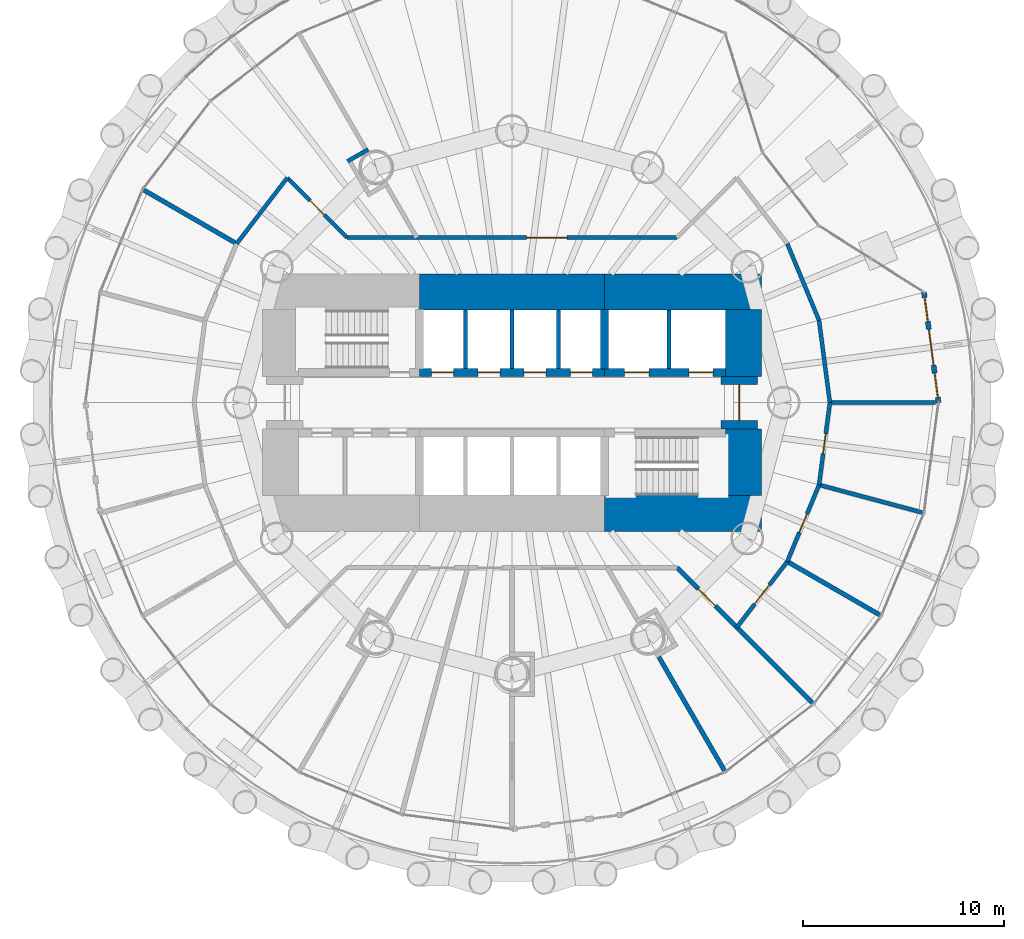
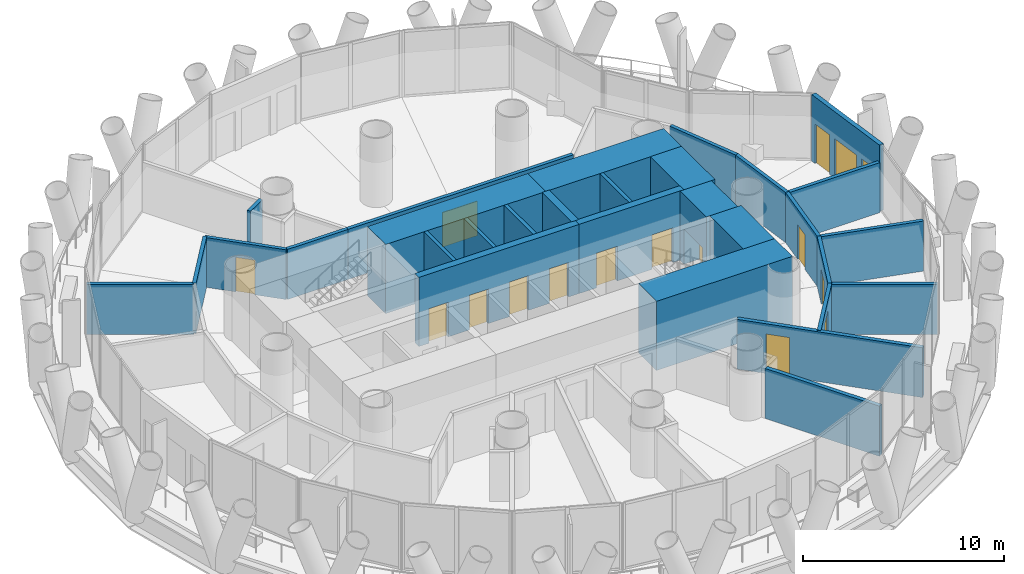
# One storey, part 10 of 15: 30 walls, 14 doors, 2 windows, 16 openings.
"""IFC4 building model written with IfcOpenShell, lengths in metres."""

import ifcopenshell
import ifcopenshell.guid

model = None  # the IFC model being written
_history = None  # IfcOwnerHistory: only IFC2X3 demands one
_inside = {}  # id of a spatial element -> (the spatial element, [elements in it])
_under = {}  # id of a project, library or spatial element -> (it, [spatial elements below it])
_declared = {}  # id of a project -> (the project, [libraries it declares])
_typed = {}  # id of a type object -> (the type object, [elements of that type])
_made_of = {}  # id of a material, layer set ... -> (it, [elements and type objects made of it])


def new_model(schema):
    """Start an empty IFC model of exactly this schema.

    Asked for "IFC4X3", IfcOpenShell would pick the latest addendum, in which some entities
    have other attributes; the version numbers below select the first issue.
    IFC2X3 requires an IfcOwnerHistory on every rooted entity: one is made here for all.
    """
    global model, _history
    if schema == "IFC4X3":
        model = ifcopenshell.file(schema_version=(4, 3, 0, 0))
    else:
        model = ifcopenshell.file(schema=schema)
    _inside.clear()
    _under.clear()
    _declared.clear()
    _typed.clear()
    _made_of.clear()
    _history = None
    if model.schema == "IFC2X3":
        org = make("IfcOrganization", Name="unknown")
        user = make(
            "IfcPersonAndOrganization",
            ThePerson=make("IfcPerson", FamilyName="unknown"),
            TheOrganization=org,
        )
        app = make(
            "IfcApplication",
            ApplicationDeveloper=org,
            Version="unknown",
            ApplicationFullName="unknown",
            ApplicationIdentifier="unknown",
        )
        _history = make(
            "IfcOwnerHistory",
            OwningUser=user,
            OwningApplication=app,
            ChangeAction="ADDED",
            CreationDate=0,
        )
    return model


def make(cls, **values):
    """One entity of the class cls with the attributes given. An attribute that is None is left unset."""
    return model.create_entity(
        cls, **{name: value for name, value in values.items() if value is not None}
    )


def rooted(cls, **values):
    """An entity with a GlobalId (a new one), such as an element, a storey or a relation."""
    return make(cls, GlobalId=ifcopenshell.guid.new(), OwnerHistory=_history, **values)


def si_unit(unit_type, name, prefix=None):
    """IfcSIUnit, for example si_unit("LENGTHUNIT", "METRE", prefix="MILLI")."""
    return make("IfcSIUnit", UnitType=unit_type, Prefix=prefix, Name=name)


def assignment(units):
    """IfcUnitAssignment: the units of a project."""
    return None if units is None else make("IfcUnitAssignment", Units=units)


def point(xyz):
    """IfcCartesianPoint."""
    return None if xyz is None else make("IfcCartesianPoint", Coordinates=xyz)


def direction(xyz):
    """IfcDirection."""
    return None if xyz is None else make("IfcDirection", DirectionRatios=xyz)


def frame(location, z_axis=None, x_axis=None):
    """IfcAxis2Placement3D, a coordinate frame: its origin and axes. An axis left out is left unset."""
    return make(
        "IfcAxis2Placement3D",
        Location=point(location),
        Axis=direction(z_axis),
        RefDirection=direction(x_axis),
    )


def frame_2d(location, x_axis=None):
    """IfcAxis2Placement2D, a coordinate frame in the plane: its origin and x axis."""
    return make(
        "IfcAxis2Placement2D", Location=point(location), RefDirection=direction(x_axis)
    )


def origin():
    """The frame at (0, 0, 0) with its axes left unset."""
    return frame((0.0, 0.0, 0.0))


def place(relative_to, where):
    """IfcLocalPlacement: puts the frame where relative to a parent placement (None: the world)."""
    return make(
        "IfcLocalPlacement", PlacementRelTo=relative_to, RelativePlacement=where
    )


def context(
    kind, dimensions, precision=None, world=None, true_north=None, identifier=None
):
    """IfcGeometricRepresentationContext, for example the 3D "Model" context."""
    return make(
        "IfcGeometricRepresentationContext",
        ContextIdentifier=identifier,
        ContextType=kind,
        CoordinateSpaceDimension=dimensions,
        Precision=precision,
        WorldCoordinateSystem=world,
        TrueNorth=true_north,
    )


def subcontext(parent, identifier, kind, view, scale=None):
    """IfcGeometricRepresentationSubContext, for example "Body" below "Model"."""
    return make(
        "IfcGeometricRepresentationSubContext",
        ContextIdentifier=identifier,
        ContextType=kind,
        ParentContext=parent,
        TargetScale=scale,
        TargetView=view,
    )


def project(units=None, contexts=None):
    """IfcProject with its units and contexts."""
    return rooted(
        "IfcProject",
        Name="project",
        RepresentationContexts=contexts,
        UnitsInContext=assignment(units),
    )


def spatial(cls, under=None, at=None, **own):
    """A site, building, storey or space (cls), placed at a placement, below another one or the project."""
    s = rooted(cls, ObjectPlacement=at, **own)
    if under is not None:
        _under.setdefault(under.id(), (under, []))[1].append(s)
    return s


def profile(cls, at=None, kind="AREA", **sizes):
    """A parametric profile (cls). Its sizes go by their IFC names, for example OverallWidth=200.0."""
    return make(cls, ProfileType=kind, Position=at, **sizes)


def rectangle(**sizes):
    """IfcRectangleProfileDef."""
    return profile("IfcRectangleProfileDef", **sizes)


def extrude(swept, where, along, depth):
    """IfcExtrudedAreaSolid: the profile swept, set in the frame where, extruded along a direction by depth."""
    return make(
        "IfcExtrudedAreaSolid",
        SweptArea=swept,
        Position=where,
        ExtrudedDirection=direction(along),
        Depth=depth,
    )


def shape(context_of_items, identifier, shape_type, items):
    """IfcShapeRepresentation: the items that make up one representation, for example the "Body"."""
    return make(
        "IfcShapeRepresentation",
        ContextOfItems=context_of_items,
        RepresentationIdentifier=identifier,
        RepresentationType=shape_type,
        Items=items,
    )


def material(Name=None, Category=None):
    """IfcMaterial."""
    return make("IfcMaterial", Name=Name, Category=Category)


def layer(
    of_material, thickness, ventilated=None, Name=None, Category=None, Priority=None
):
    """IfcMaterialLayer: one layer of a wall or slab, of a material (None: an air gap)."""
    return make(
        "IfcMaterialLayer",
        Material=of_material,
        LayerThickness=thickness,
        IsVentilated=ventilated,
        Name=Name,
        Category=Category,
        Priority=Priority,
    )


def layer_set(layers, Name=None):
    """IfcMaterialLayerSet."""
    return make("IfcMaterialLayerSet", MaterialLayers=layers, LayerSetName=Name)


def made_of(thing, what):
    """Note that an element or type object is made of a material, layer set ...; save() writes the relation."""
    if what is not None:
        _made_of.setdefault(what.id(), (what, []))[1].append(thing)
    return thing


def type_object(cls, material=None, **own):
    """A type object (cls), such as IfcWallType, which elements share."""
    return made_of(rooted(cls, **own), material)


def element(
    cls,
    number,
    at=None,
    inside=None,
    cuts=None,
    type_object=None,
    material=None,
    context=None,
    identifier="Body",
    shape_type=None,
    held_by="IfcProductDefinitionShape",
    body=None,
    shapes=None,
    **own,
):
    """One element of the class cls, such as IfcWall. Its Tag is "e" and its number.

    at: its placement. inside: the storey or other place that contains it. cuts: it is an
    opening in that element (IfcRelVoidsElement). A single representation is given by context,
    identifier, shape_type and body (its items); several are given by shapes. held_by: the class
    of the entity that holds the representations. save() writes the other relations.
    """
    e = rooted(cls, Tag="e%d" % number, ObjectPlacement=at, **own)
    if body is not None:
        shapes = [shape(context, identifier, shape_type, body)]
    if shapes is not None:
        e.Representation = make(held_by, Representations=shapes)
    if inside is not None:
        _inside.setdefault(inside.id(), (inside, []))[1].append(e)
    if cuts is not None:
        rooted(
            "IfcRelVoidsElement", RelatingBuildingElement=cuts, RelatedOpeningElement=e
        )
    if type_object is not None:
        _typed.setdefault(type_object.id(), (type_object, []))[1].append(e)
    return made_of(e, material)


def fill(opening, filler):
    """IfcRelFillsElement: the door or window that sits in an opening."""
    return rooted(
        "IfcRelFillsElement",
        RelatingOpeningElement=opening,
        RelatedBuildingElement=filler,
    )


def aggregate(whole, parts):
    """IfcRelAggregates: a whole, such as a stair, and the parts it consists of."""
    return rooted("IfcRelAggregates", RelatingObject=whole, RelatedObjects=parts)


def save(model, path):
    """Write the relations noted so far, then the file.

    IfcRelAggregates (storeys below a building ...), IfcRelContainedInSpatialStructure (elements
    in a storey), IfcRelDefinesByType, IfcRelAssociatesMaterial and IfcRelDeclares: one each for
    every whole, place, type object, material and project.
    """
    for whole, parts in _under.values():
        aggregate(whole, parts)
    for where, things in _inside.values():
        rooted(
            "IfcRelContainedInSpatialStructure",
            RelatedElements=things,
            RelatingStructure=where,
        )
    for kind, things in _typed.values():
        rooted("IfcRelDefinesByType", RelatedObjects=things, RelatingType=kind)
    for what, things in _made_of.values():
        rooted("IfcRelAssociatesMaterial", RelatedObjects=things, RelatingMaterial=what)
    for by, libraries in _declared.values():
        rooted("IfcRelDeclares", RelatingContext=by, RelatedDefinitions=libraries)
    model.write(path)


model = new_model("IFC4")

# Units and contexts
model_context = context("Model", 3, precision=1e-05, world=origin(), true_north=direction((0.0, 1.0)))
body_context = subcontext(model_context, "Body", "Model", "MODEL_VIEW")
ifc_project = project(units=[si_unit("LENGTHUNIT", "METRE"), si_unit("AREAUNIT", "SQUARE_METRE"), si_unit("VOLUMEUNIT", "CUBIC_METRE"), si_unit("PLANEANGLEUNIT", "RADIAN"), si_unit("MASSUNIT", "GRAM", prefix="KILO")], contexts=[model_context])

# Site, building, storey
site_placement = place(None, origin())
site = spatial("IfcSite", under=ifc_project, at=site_placement, CompositionType="ELEMENT")
building_placement = place(site_placement, origin())
building = spatial("IfcBuilding", under=site, at=building_placement, Name="Qaws Media Tower", CompositionType="ELEMENT")
storey_placement = place(building_placement, frame((0.0, 0.0, 34.39990234375)))
storey = spatial("IfcBuildingStorey", under=building, at=storey_placement, Name="L06", CompositionType="ELEMENT", Elevation=34.39990234375)

# Walls
ifc_material_1 = material(Name="Twin metal stud frames, two layers gypsum board each side, insulated, Rw 55", Category="gypsum")
ifc_layer_1 = layer(ifc_material_1, 0.22509765625)
ifc_layer_set_1 = layer_set([ifc_layer_1], Name="Acoustic twin-stud partition 225 Rw 55")
wall_type_1 = type_object("IfcWallType", Name="Acoustic twin-stud partition 225 Rw 55", PredefinedType="PARTITIONING", material=ifc_layer_set_1)
wall_1_placement = place(storey_placement, frame((46.31689453125, 57.89990234375, 0.0), z_axis=(0.0, 0.0, 1.0), x_axis=(-0.866020236886, 0.500008949224, 0.0)))
element("IfcWall", 1, at=wall_1_placement, inside=storey, type_object=wall_type_1, Name="W026 IW6 partition L06", PredefinedType="PARTITIONING", context=body_context, shape_type="SweptSolid", body=[
    extrude(rectangle(XDim=5.3603515625, YDim=0.22509765625, at=frame_2d((2.68017578125, 0.0))), origin(), (0.0, 0.0, 1.0), 3.0400390625),
])
wall_2_placement = place(storey_placement, frame((67.299072265625, 37.35791015625, 0.0), z_axis=(0.0, 0.0, 1.0), x_axis=(0.499984386348, -0.866034418143, 0.0)))
element("IfcWall", 2, at=wall_2_placement, inside=storey, type_object=wall_type_1, Name="W030 IW6 partition L06", PredefinedType="PARTITIONING", context=body_context, shape_type="SweptSolid", body=[
    extrude(rectangle(XDim=6.562255859375, YDim=0.22509765625, at=frame_2d((3.28125, 0.0))), origin(), (0.0, 0.0, 1.0), 3.0400390625),
])

# Wall, opening, door
wall_3_placement = place(storey_placement, frame((68.199951171875, 41.800048828125, 0.0), z_axis=(0.0, 0.0, 1.0), x_axis=(0.707106781187, -0.707106781187, 0.0)))
wall_3 = element("IfcWall", 3, at=wall_3_placement, inside=storey, type_object=wall_type_1, Name="W031 IW6 partition L06", PredefinedType="PARTITIONING", context=body_context, shape_type="SweptSolid", body=[
    extrude(rectangle(XDim=9.5634765625, YDim=0.22509765625, at=frame_2d((4.78173828125, 0.0))), origin(), (0.0, 0.0, 1.0), 3.02001953125),
])
opening_1_placement = place(wall_3_placement, frame((1.501708984375, 0.0, 0.0)))
opening_1 = element("IfcOpeningElement", 4, at=opening_1_placement, cuts=wall_3, Name="Opening D14", PredefinedType="OPENING", context=body_context, shape_type="SweptSolid", body=[
    extrude(rectangle(XDim=1.199951171875, YDim=2.39990234375, at=frame_2d((0.60009765625, 1.199951171875))), frame((0.0, 0.12255859375, 0.0), z_axis=(0.0, -1.0, 0.0), x_axis=(1.0, 0.0, 0.0)), (0.0, 0.0, 1.0), 0.2451171875),
])
ifc_material_2 = material(Name="Steel acoustic door set, Rw 45", Category="steel")
door_type_1 = type_object("IfcDoorType", Name="Acoustic door 1200x2400 Rw 45", OperationType="SINGLE_SWING_LEFT", PredefinedType="DOOR", material=ifc_material_2)
door_1_placement = place(opening_1_placement, origin())
door_1 = element("IfcDoor", 5, at=door_1_placement, inside=storey, type_object=door_type_1, Name="D14 Podcast booth door L06 in wall W031", OperationType="SINGLE_SWING_LEFT", OverallHeight=2.39990234375, OverallWidth=1.199951171875, PredefinedType="DOOR", context=body_context, shape_type="SweptSolid", body=[
    extrude(rectangle(XDim=1.199951171875, YDim=2.39990234375, at=frame_2d((0.60009765625, 1.199951171875))), frame((0.0, 0.02490234375, 0.0), z_axis=(0.0, -1.0, 0.0), x_axis=(1.0, 0.0, 0.0)), (0.0, 0.0, 1.0), 0.050048828125),
])
fill(opening_1, door_1)

# Wall
wall_4_placement = place(storey_placement, frame((73.68310546875, 42.10009765625, 0.0), z_axis=(0.0, 0.0, 1.0), x_axis=(0.866020236886, -0.500008949224, 0.0)))
element("IfcWall", 6, at=wall_4_placement, inside=storey, type_object=wall_type_1, Name="W032 IW6 partition L06", PredefinedType="PARTITIONING", context=body_context, shape_type="SweptSolid", body=[
    extrude(rectangle(XDim=5.3603515625, YDim=0.22509765625, at=frame_2d((2.68017578125, 0.0))), origin(), (0.0, 0.0, 1.0), 3.0400390625),
])

# Wall, openings, door, windows
ifc_material_3 = material(Name="Precast concrete, exposed finish", Category="concrete")
ifc_layer_2 = layer(ifc_material_3, 0.25)
ifc_layer_set_2 = layer_set([ifc_layer_2], Name="Balcony door wall 250")
wall_type_2 = type_object("IfcWallType", Name="Balcony door wall 250", PredefinedType="SOLIDWALL", material=ifc_layer_set_2)
wall_5_placement = place(storey_placement, frame((81.199951171875, 50.0, 0.0), z_axis=(0.0, 0.0, 1.0), x_axis=(-0.130530967061, 0.991444232742, 0.0)))
wall_5 = element("IfcWall", 7, at=wall_5_placement, inside=storey, type_object=wall_type_2, Name="W116 EW1 balcony door wall L06-01", PredefinedType="SOLIDWALL", context=body_context, shape_type="SweptSolid", body=[
    extrude(rectangle(XDim=5.534423828125, YDim=0.25, at=frame_2d((2.76708984375, 0.0))), origin(), (0.0, 0.0, 1.0), 4.0400390625),
])
opening_2_placement = place(wall_5_placement, frame((1.8671875, 0.0, 0.0)))
opening_2 = element("IfcOpeningElement", 8, at=opening_2_placement, cuts=wall_5, Name="Opening D7", PredefinedType="OPENING", context=body_context, shape_type="SweptSolid", body=[
    extrude(rectangle(XDim=1.800048828125, YDim=2.39990234375, at=frame_2d((0.89990234375, 1.199951171875))), frame((0.0, 0.135009765625, 0.0), z_axis=(0.0, -1.0, 0.0), x_axis=(1.0, 0.0, 0.0)), (0.0, 0.0, 1.0), 0.27001953125),
])
opening_3_placement = place(wall_5_placement, frame((0.26708984375, 0.0, 0.0)))
opening_3 = element("IfcOpeningElement", 9, at=opening_3_placement, cuts=wall_5, Name="Opening W1", PredefinedType="OPENING", context=body_context, shape_type="SweptSolid", body=[
    extrude(rectangle(XDim=1.199951171875, YDim=2.39990234375, at=frame_2d((0.60009765625, 1.199951171875))), frame((0.0, 0.135009765625, 0.0), z_axis=(0.0, -1.0, 0.0), x_axis=(1.0, 0.0, 0.0)), (0.0, 0.0, 1.0), 0.27001953125),
])
opening_4_placement = place(wall_5_placement, frame((4.067138671875, 0.0, 0.0)))
opening_4 = element("IfcOpeningElement", 10, at=opening_4_placement, cuts=wall_5, Name="Opening W1", PredefinedType="OPENING", context=body_context, shape_type="SweptSolid", body=[
    extrude(rectangle(XDim=1.199951171875, YDim=2.39990234375, at=frame_2d((0.60009765625, 1.199951171875))), frame((0.0, 0.135009765625, 0.0), z_axis=(0.0, -1.0, 0.0), x_axis=(1.0, 0.0, 0.0)), (0.0, 0.0, 1.0), 0.27001953125),
])
ifc_material_4 = material(Name="Aluminium and clear glass", Category="aluminium")
door_type_2 = type_object("IfcDoorType", Name="Balcony door pair 1800", OperationType="DOUBLE_DOOR_SLIDING", PredefinedType="DOOR", material=ifc_material_4)
door_2_placement = place(opening_2_placement, origin())
door_2 = element("IfcDoor", 11, at=door_2_placement, inside=storey, type_object=door_type_2, Name="D7 balcony door L06-01 in wall W116", OperationType="DOUBLE_DOOR_SLIDING", OverallHeight=2.39990234375, OverallWidth=1.800048828125, PredefinedType="DOOR", context=body_context, shape_type="SweptSolid", body=[
    extrude(rectangle(XDim=1.800048828125, YDim=2.39990234375, at=frame_2d((0.89990234375, 1.199951171875))), frame((0.0, 0.02490234375, 0.0), z_axis=(0.0, -1.0, 0.0), x_axis=(1.0, 0.0, 0.0)), (0.0, 0.0, 1.0), 0.050048828125),
])
fill(opening_2, door_2)
ifc_material_5 = material(Name="Aluminium and clear glass", Category="aluminium")
window_type = type_object("IfcWindowType", Name="Balcony side window 1200", PartitioningType="SINGLE_PANEL", PredefinedType="WINDOW", material=ifc_material_5)
window_1_placement = place(opening_3_placement, origin())
window_1 = element("IfcWindow", 12, at=window_1_placement, inside=storey, type_object=window_type, Name="W1 balcony side light L06-01L", OverallHeight=2.39990234375, OverallWidth=1.199951171875, PartitioningType="SINGLE_PANEL", PredefinedType="WINDOW", context=body_context, shape_type="SweptSolid", body=[
    extrude(rectangle(XDim=1.199951171875, YDim=2.39990234375, at=frame_2d((0.60009765625, 1.199951171875))), frame((0.0, 0.030029296875, 0.0), z_axis=(0.0, -1.0, 0.0), x_axis=(1.0, 0.0, 0.0)), (0.0, 0.0, 1.0), 0.06005859375),
])
fill(opening_3, window_1)
window_2_placement = place(opening_4_placement, origin())
window_2 = element("IfcWindow", 13, at=window_2_placement, inside=storey, type_object=window_type, Name="W1 balcony side light L06-01R", OverallHeight=2.39990234375, OverallWidth=1.199951171875, PartitioningType="SINGLE_PANEL", PredefinedType="WINDOW", context=body_context, shape_type="SweptSolid", body=[
    extrude(rectangle(XDim=1.199951171875, YDim=2.39990234375, at=frame_2d((0.60009765625, 1.199951171875))), frame((0.0, 0.030029296875, 0.0), z_axis=(0.0, -1.0, 0.0), x_axis=(1.0, 0.0, 0.0)), (0.0, 0.0, 1.0), 0.06005859375),
])
fill(opening_4, window_2)

# Wall, openings, doors
ifc_material_6 = material(Name="Concrete C60/75", Category="concrete")
ifc_layer_3 = layer(ifc_material_6, 0.39990234375)
ifc_layer_set_3 = layer_set([ifc_layer_3], Name="Core inner wall 400")
wall_type_3 = type_object("IfcWallType", Name="Core inner wall 400", PredefinedType="SHEAR", material=ifc_layer_set_3)
wall_6_placement = place(storey_placement, frame((55.39990234375, 51.5, 0.0), z_axis=(0.0, 0.0, 1.0), x_axis=(1.0, 0.0, 0.0)))
wall_6 = element("IfcWall", 14, at=wall_6_placement, inside=storey, type_object=wall_type_3, Name="W314 SW4 core wall SPN L06", PredefinedType="SHEAR", context=body_context, shape_type="SweptSolid", body=[
    extrude(rectangle(XDim=9.2001953125, YDim=0.39990234375, at=frame_2d((4.60009765625, 0.0))), origin(), (0.0, 0.0, 1.0), 4.2001953125),
])
opening_5_placement = place(wall_6_placement, frame((0.60009765625, 0.0, 0.0)))
opening_5 = element("IfcOpeningElement", 15, at=opening_5_placement, cuts=wall_6, Name="Opening LD", PredefinedType="OPENING", context=body_context, shape_type="SweptSolid", body=[
    extrude(rectangle(XDim=1.10009765625, YDim=2.10009765625, at=frame_2d((0.550048828125, 1.050048828125))), frame((0.0, 0.2099609375, 0.0), z_axis=(0.0, -1.0, 0.0), x_axis=(1.0, 0.0, 0.0)), (0.0, 0.0, 1.0), 0.419921875),
])
opening_6_placement = place(wall_6_placement, frame((2.89990234375, 0.0, 0.0)))
opening_6 = element("IfcOpeningElement", 16, at=opening_6_placement, cuts=wall_6, Name="Opening LD", PredefinedType="OPENING", context=body_context, shape_type="SweptSolid", body=[
    extrude(rectangle(XDim=1.10009765625, YDim=2.10009765625, at=frame_2d((0.550048828125, 1.050048828125))), frame((0.0, 0.2099609375, 0.0), z_axis=(0.0, -1.0, 0.0), x_axis=(1.0, 0.0, 0.0)), (0.0, 0.0, 1.0), 0.419921875),
])
opening_7_placement = place(wall_6_placement, frame((5.199951171875, 0.0, 0.0)))
opening_7 = element("IfcOpeningElement", 17, at=opening_7_placement, cuts=wall_6, Name="Opening LD", PredefinedType="OPENING", context=body_context, shape_type="SweptSolid", body=[
    extrude(rectangle(XDim=1.10009765625, YDim=2.10009765625, at=frame_2d((0.550048828125, 1.050048828125))), frame((0.0, 0.2099609375, 0.0), z_axis=(0.0, -1.0, 0.0), x_axis=(1.0, 0.0, 0.0)), (0.0, 0.0, 1.0), 0.419921875),
])
opening_8_placement = place(wall_6_placement, frame((7.5, 0.0, 0.0)))
opening_8 = element("IfcOpeningElement", 18, at=opening_8_placement, cuts=wall_6, Name="Opening LD", PredefinedType="OPENING", context=body_context, shape_type="SweptSolid", body=[
    extrude(rectangle(XDim=1.10009765625, YDim=2.10009765625, at=frame_2d((0.550048828125, 1.050048828125))), frame((0.0, 0.2099609375, 0.0), z_axis=(0.0, -1.0, 0.0), x_axis=(1.0, 0.0, 0.0)), (0.0, 0.0, 1.0), 0.419921875),
])
ifc_material_7 = material(Name="Steel, fire rated", Category="steel")
door_type_3 = type_object("IfcDoorType", Name="Lift landing door 1100", OperationType="SLIDING_TO_LEFT", PredefinedType="DOOR", material=ifc_material_7)
door_3_placement = place(opening_5_placement, origin())
door_3 = element("IfcDoor", 19, at=door_3_placement, inside=storey, type_object=door_type_3, Name="P1 landing door L06 in wall W314", OperationType="SLIDING_TO_LEFT", OverallHeight=2.10009765625, OverallWidth=1.10009765625, PredefinedType="DOOR", context=body_context, shape_type="SweptSolid", body=[
    extrude(rectangle(XDim=1.10009765625, YDim=2.10009765625, at=frame_2d((0.550048828125, 1.050048828125))), frame((0.0, 0.02490234375, 0.0), z_axis=(0.0, -1.0, 0.0), x_axis=(1.0, 0.0, 0.0)), (0.0, 0.0, 1.0), 0.050048828125),
])
fill(opening_5, door_3)
door_4_placement = place(opening_6_placement, origin())
door_4 = element("IfcDoor", 20, at=door_4_placement, inside=storey, type_object=door_type_3, Name="P2 landing door L06 in wall W314", OperationType="SLIDING_TO_LEFT", OverallHeight=2.10009765625, OverallWidth=1.10009765625, PredefinedType="DOOR", context=body_context, shape_type="SweptSolid", body=[
    extrude(rectangle(XDim=1.10009765625, YDim=2.10009765625, at=frame_2d((0.550048828125, 1.050048828125))), frame((0.0, 0.02490234375, 0.0), z_axis=(0.0, -1.0, 0.0), x_axis=(1.0, 0.0, 0.0)), (0.0, 0.0, 1.0), 0.050048828125),
])
fill(opening_6, door_4)
door_5_placement = place(opening_7_placement, origin())
door_5 = element("IfcDoor", 21, at=door_5_placement, inside=storey, type_object=door_type_3, Name="P3 landing door L06 in wall W314", OperationType="SLIDING_TO_LEFT", OverallHeight=2.10009765625, OverallWidth=1.10009765625, PredefinedType="DOOR", context=body_context, shape_type="SweptSolid", body=[
    extrude(rectangle(XDim=1.10009765625, YDim=2.10009765625, at=frame_2d((0.550048828125, 1.050048828125))), frame((0.0, 0.02490234375, 0.0), z_axis=(0.0, -1.0, 0.0), x_axis=(1.0, 0.0, 0.0)), (0.0, 0.0, 1.0), 0.050048828125),
])
fill(opening_7, door_5)
door_6_placement = place(opening_8_placement, origin())
door_6 = element("IfcDoor", 22, at=door_6_placement, inside=storey, type_object=door_type_3, Name="P4 landing door L06 in wall W314", OperationType="SLIDING_TO_LEFT", OverallHeight=2.10009765625, OverallWidth=1.10009765625, PredefinedType="DOOR", context=body_context, shape_type="SweptSolid", body=[
    extrude(rectangle(XDim=1.10009765625, YDim=2.10009765625, at=frame_2d((0.550048828125, 1.050048828125))), frame((0.0, 0.02490234375, 0.0), z_axis=(0.0, -1.0, 0.0), x_axis=(1.0, 0.0, 0.0)), (0.0, 0.0, 1.0), 0.050048828125),
])
fill(opening_8, door_6)

wall_7_placement = place(storey_placement, frame((64.60009765625, 51.5, 0.0), z_axis=(0.0, 0.0, 1.0), x_axis=(1.0, 0.0, 0.0)))
wall_7 = element("IfcWall", 23, at=wall_7_placement, inside=storey, type_object=wall_type_3, Name="W318 SW4 core wall SPNE L06", PredefinedType="SHEAR", context=body_context, shape_type="SweptSolid", body=[
    extrude(rectangle(XDim=6.02001953125, YDim=0.39990234375, at=frame_2d((3.010009765625, 0.0))), origin(), (0.0, 0.0, 1.0), 4.2001953125),
])
opening_9_placement = place(wall_7_placement, frame((1.0, 0.0, 0.0)))
opening_9 = element("IfcOpeningElement", 24, at=opening_9_placement, cuts=wall_7, Name="Opening LD2", PredefinedType="OPENING", context=body_context, shape_type="SweptSolid", body=[
    extrude(rectangle(XDim=1.199951171875, YDim=2.10009765625, at=frame_2d((0.60009765625, 1.050048828125))), frame((0.0, 0.2099609375, 0.0), z_axis=(0.0, -1.0, 0.0), x_axis=(1.0, 0.0, 0.0)), (0.0, 0.0, 1.0), 0.419921875),
])
opening_10_placement = place(wall_7_placement, frame((4.199951171875, 0.0, 0.0)))
opening_10 = element("IfcOpeningElement", 25, at=opening_10_placement, cuts=wall_7, Name="Opening LD2", PredefinedType="OPENING", context=body_context, shape_type="SweptSolid", body=[
    extrude(rectangle(XDim=1.199951171875, YDim=2.10009765625, at=frame_2d((0.60009765625, 1.050048828125))), frame((0.0, 0.2099609375, 0.0), z_axis=(0.0, -1.0, 0.0), x_axis=(1.0, 0.0, 0.0)), (0.0, 0.0, 1.0), 0.419921875),
])
ifc_material_8 = material(Name="Steel, fire rated", Category="steel")
door_type_4 = type_object("IfcDoorType", Name="Lift landing door 1200", OperationType="SLIDING_TO_LEFT", PredefinedType="DOOR", material=ifc_material_8)
door_7_placement = place(opening_9_placement, origin())
door_7 = element("IfcDoor", 26, at=door_7_placement, inside=storey, type_object=door_type_4, Name="FL1 landing door L06 in wall W318", OperationType="SLIDING_TO_LEFT", OverallHeight=2.10009765625, OverallWidth=1.199951171875, PredefinedType="DOOR", context=body_context, shape_type="SweptSolid", body=[
    extrude(rectangle(XDim=1.199951171875, YDim=2.10009765625, at=frame_2d((0.60009765625, 1.050048828125))), frame((0.0, 0.02490234375, 0.0), z_axis=(0.0, -1.0, 0.0), x_axis=(1.0, 0.0, 0.0)), (0.0, 0.0, 1.0), 0.050048828125),
])
fill(opening_9, door_7)
door_8_placement = place(opening_10_placement, origin())
door_8 = element("IfcDoor", 27, at=door_8_placement, inside=storey, type_object=door_type_4, Name="FL2 landing door L06 in wall W318", OperationType="SLIDING_TO_LEFT", OverallHeight=2.10009765625, OverallWidth=1.199951171875, PredefinedType="DOOR", context=body_context, shape_type="SweptSolid", body=[
    extrude(rectangle(XDim=1.199951171875, YDim=2.10009765625, at=frame_2d((0.60009765625, 1.050048828125))), frame((0.0, 0.02490234375, 0.0), z_axis=(0.0, -1.0, 0.0), x_axis=(1.0, 0.0, 0.0)), (0.0, 0.0, 1.0), 0.050048828125),
])
fill(opening_10, door_8)

# Walls
wall_8_placement = place(storey_placement, frame((64.60009765625, 51.679931640625, 0.0), z_axis=(0.0, 0.0, 1.0), x_axis=(0.0, 1.0, 0.0)))
element("IfcWall", 28, at=wall_8_placement, inside=storey, type_object=wall_type_3, Name="W319 SW4 core wall XNE L06", PredefinedType="SHEAR", context=body_context, shape_type="SweptSolid", body=[
    extrude(rectangle(XDim=2.940185546875, YDim=0.39990234375, at=frame_2d((1.47021484375, 0.0))), origin(), (0.0, 0.0, 1.0), 4.2001953125),
])
ifc_material_9 = material(Name="Concrete C60/75", Category="concrete")
ifc_layer_4 = layer(ifc_material_9, 1.800048828125)
ifc_layer_set_4 = layer_set([ifc_layer_4], Name="Core wall 1800")
wall_type_4 = type_object("IfcWallType", Name="Core wall 1800", PredefinedType="SHEAR", material=ifc_layer_set_4)
wall_9_placement = place(storey_placement, frame((55.39990234375, 55.5, 0.0), z_axis=(0.0, 0.0, 1.0), x_axis=(1.0, 0.0, 0.0)))
element("IfcWall", 29, at=wall_9_placement, inside=storey, type_object=wall_type_4, Name="W404 SW11 core wall N L06", PredefinedType="SHEAR", context=body_context, shape_type="SweptSolid", body=[
    extrude(rectangle(XDim=9.2001953125, YDim=1.800048828125, at=frame_2d((4.60009765625, 0.0))), origin(), (0.0, 0.0, 1.0), 4.2001953125),
])
for number, where, z_axis, x_axis, name in (
    (30, (64.60009765625, 55.5, 0.0), (0.0, 0.0, 1.0), (1.0, 0.0, 0.0), "W406 SW11 core wall NE L06"),
    (31, (64.60009765625, 44.5, 0.0), (0.0, 0.0, 1.0), (1.0, 0.0, 0.0), "W405 SW11 core wall SE L06"),
):
    element("IfcWall", number, at=place(storey_placement, frame(where, z_axis=z_axis, x_axis=x_axis)), inside=storey, type_object=wall_type_4, Name=name, PredefinedType="SHEAR", context=body_context, shape_type="SweptSolid", body=[
        extrude(rectangle(XDim=7.7998046875, YDim=1.800048828125, at=frame_2d((3.89990234375, 0.0))), origin(), (0.0, 0.0, 1.0), 4.2001953125),
    ])
wall_10_placement = place(storey_placement, frame((71.5, 45.3798828125, 0.0), z_axis=(0.0, 0.0, 1.0), x_axis=(0.0, 1.0, 0.0)))
element("IfcWall", 32, at=wall_10_placement, inside=storey, type_object=wall_type_4, Name="W414 SW11 core wall ES L06", PredefinedType="SHEAR", context=body_context, shape_type="SweptSolid", body=[
    extrude(rectangle(XDim=3.320068359375, YDim=1.800048828125, at=frame_2d((1.66015625, 0.0))), origin(), (0.0, 0.0, 1.0), 4.2001953125),
])

# Wall, opening, door
wall_11_placement = place(storey_placement, frame((71.300048828125, 48.699951171875, 0.0), z_axis=(0.0, 0.0, 1.0), x_axis=(0.0, 1.0, 0.0)))
wall_11 = element("IfcWall", 33, at=wall_11_placement, inside=storey, type_object=wall_type_4, Name="W413 SW11 core wall E L06", PredefinedType="SHEAR", context=body_context, shape_type="SweptSolid", body=[
    extrude(rectangle(XDim=2.60009765625, YDim=1.800048828125, at=frame_2d((1.300048828125, 0.0))), origin(), (0.0, 0.0, 1.0), 4.2001953125),
])
opening_11_placement = place(wall_11_placement, frame((0.39990234375, 0.0, 0.0)))
opening_11 = element("IfcOpeningElement", 34, at=opening_11_placement, cuts=wall_11, Name="Opening D2", PredefinedType="OPENING", context=body_context, shape_type="SweptSolid", body=[
    extrude(rectangle(XDim=1.800048828125, YDim=2.10009765625, at=frame_2d((0.89990234375, 1.050048828125))), frame((0.0, 0.909912109375, 0.0), z_axis=(0.0, -1.0, 0.0), x_axis=(1.0, 0.0, 0.0)), (0.0, 0.0, 1.0), 1.820068359375),
])
ifc_material_10 = material(Name="Steel and glass, fire rated", Category="steel")
door_type_5 = type_object("IfcDoorType", Name="Lobby door pair 1800 FD60", OperationType="DOUBLE_DOOR_DOUBLE_SWING", PredefinedType="DOOR", material=ifc_material_10)
door_9_placement = place(opening_11_placement, origin())
door_9 = element("IfcDoor", 35, at=door_9_placement, inside=storey, type_object=door_type_5, Name="D2 core lobby door E L06 in wall W413", OperationType="DOUBLE_DOOR_DOUBLE_SWING", OverallHeight=2.10009765625, OverallWidth=1.800048828125, PredefinedType="DOOR", context=body_context, shape_type="SweptSolid", body=[
    extrude(rectangle(XDim=1.800048828125, YDim=2.10009765625, at=frame_2d((0.89990234375, 1.050048828125))), frame((0.0, 0.02490234375, 0.0), z_axis=(0.0, -1.0, 0.0), x_axis=(1.0, 0.0, 0.0)), (0.0, 0.0, 1.0), 0.050048828125),
])
fill(opening_11, door_9)

# Walls
wall_12_placement = place(storey_placement, frame((71.5, 51.300048828125, 0.0), z_axis=(0.0, 0.0, 1.0), x_axis=(0.0, 1.0, 0.0)))
element("IfcWall", 36, at=wall_12_placement, inside=storey, type_object=wall_type_4, Name="W415 SW11 core wall EN L06", PredefinedType="SHEAR", context=body_context, shape_type="SweptSolid", body=[
    extrude(rectangle(XDim=3.320068359375, YDim=1.800048828125, at=frame_2d((1.66015625, 0.0))), origin(), (0.0, 0.0, 1.0), 4.2001953125),
])
ifc_material_11 = material(Name="Gypsum board on galvanised metal studs, acoustic double stud, deflection head", Category="gypsum")
ifc_layer_5 = layer(ifc_material_11, 0.199951171875)
ifc_layer_set_5 = layer_set([ifc_layer_5], Name="Room partition 200")
wall_type_5 = type_object("IfcWallType", Name="Room partition 200", PredefinedType="PARTITIONING", material=ifc_layer_set_5)
wall_13_placement = place(storey_placement, frame((46.31689453125, 57.89990234375, 0.0), z_axis=(0.0, 0.0, 1.0), x_axis=(0.608714823874, 0.793389099494, 0.0)))
element("IfcWall", 37, at=wall_13_placement, inside=storey, type_object=wall_type_5, Name="W947 IW3 partition L06", PredefinedType="PARTITIONING", context=body_context, shape_type="SweptSolid", body=[
    extrude(rectangle(XDim=4.124755859375, YDim=0.199951171875, at=frame_2d((2.0625, 0.0))), origin(), (0.0, 0.0, 1.0), 3.0400390625),
])

# Wall, opening, door
wall_14_placement = place(storey_placement, frame((48.82763671875, 61.17236328125, 0.0), z_axis=(0.0, 0.0, 1.0), x_axis=(0.707106781187, -0.707106781187, 0.0)))
wall_14 = element("IfcWall", 38, at=wall_14_placement, inside=storey, type_object=wall_type_5, Name="W961 IW3 partition L06", PredefinedType="PARTITIONING", context=body_context, shape_type="SweptSolid", body=[
    extrude(rectangle(XDim=4.20361328125, YDim=0.199951171875, at=frame_2d((2.101806640625, 0.0))), origin(), (0.0, 0.0, 1.0), 3.02001953125),
])
opening_12_placement = place(wall_14_placement, frame((1.601806640625, 0.0, 0.0)))
opening_12 = element("IfcOpeningElement", 39, at=opening_12_placement, cuts=wall_14, Name="Opening D5", PredefinedType="OPENING", context=body_context, shape_type="SweptSolid", body=[
    extrude(rectangle(XDim=1.0, YDim=2.10009765625, at=frame_2d((0.5, 1.050048828125))), frame((0.0, 0.10986328125, 0.0), z_axis=(0.0, -1.0, 0.0), x_axis=(1.0, 0.0, 0.0)), (0.0, 0.0, 1.0), 0.219970703125),
])
ifc_material_12 = material(Name="Timber veneered, acoustic seal", Category="wood")
door_type_6 = type_object("IfcDoorType", Name="Room door 1000", OperationType="SINGLE_SWING_LEFT", PredefinedType="DOOR", material=ifc_material_12)
door_10_placement = place(opening_12_placement, origin())
door_10 = element("IfcDoor", 40, at=door_10_placement, inside=storey, type_object=door_type_6, Name="D5 Green room door L06 in wall W961", OperationType="SINGLE_SWING_LEFT", OverallHeight=2.10009765625, OverallWidth=1.0, PredefinedType="DOOR", context=body_context, shape_type="SweptSolid", body=[
    extrude(rectangle(XDim=1.0, YDim=2.10009765625, at=frame_2d((0.5, 1.050048828125))), frame((0.0, 0.02490234375, 0.0), z_axis=(0.0, -1.0, 0.0), x_axis=(1.0, 0.0, 0.0)), (0.0, 0.0, 1.0), 0.050048828125),
])
fill(opening_12, door_10)

# Wall
wall_15_placement = place(storey_placement, frame((51.800048828125, 58.199951171875, 0.0), z_axis=(0.0, 0.0, 1.0), x_axis=(1.0, 0.0, 0.0)))
element("IfcWall", 41, at=wall_15_placement, inside=storey, type_object=wall_type_5, Name="W963 IW3 partition L06", PredefinedType="PARTITIONING", context=body_context, shape_type="SweptSolid", body=[
    extrude(rectangle(XDim=3.465576171875, YDim=0.199951171875, at=frame_2d((1.73291015625, 0.0))), origin(), (0.0, 0.0, 1.0), 3.0400390625),
])

# Wall, opening, door
wall_16_placement = place(storey_placement, frame((55.265625, 58.199951171875, 0.0), z_axis=(0.0, 0.0, 1.0), x_axis=(1.0, 0.0, 0.0)))
wall_16 = element("IfcWall", 42, at=wall_16_placement, inside=storey, type_object=wall_type_5, Name="W969 IW3 partition L06", PredefinedType="PARTITIONING", context=body_context, shape_type="SweptSolid", body=[
    extrude(rectangle(XDim=12.934326171875, YDim=0.199951171875, at=frame_2d((6.46728515625, 0.0))), origin(), (0.0, 0.0, 1.0), 3.0400390625),
])
opening_13_placement = place(wall_16_placement, frame((5.467041015625, 0.0, 0.0)))
opening_13 = element("IfcOpeningElement", 43, at=opening_13_placement, cuts=wall_16, Name="Opening D6", PredefinedType="OPENING", context=body_context, shape_type="SweptSolid", body=[
    extrude(rectangle(XDim=2.0, YDim=2.10009765625, at=frame_2d((1.0, 1.050048828125))), frame((0.0, 0.10986328125, 0.0), z_axis=(0.0, -1.0, 0.0), x_axis=(1.0, 0.0, 0.0)), (0.0, 0.0, 1.0), 0.219970703125),
])
ifc_material_13 = material(Name="Steel, acoustic, fire rated", Category="steel")
door_type_7 = type_object("IfcDoorType", Name="Room door pair 2000", OperationType="DOUBLE_DOOR_DOUBLE_SWING", PredefinedType="DOOR", material=ifc_material_13)
door_11_placement = place(opening_13_placement, origin())
door_11 = element("IfcDoor", 44, at=door_11_placement, inside=storey, type_object=door_type_7, Name="D6 Production office door L06 in wall W969", OperationType="DOUBLE_DOOR_DOUBLE_SWING", OverallHeight=2.10009765625, OverallWidth=2.0, PredefinedType="DOOR", context=body_context, shape_type="SweptSolid", body=[
    extrude(rectangle(XDim=2.0, YDim=2.10009765625, at=frame_2d((1.0, 1.050048828125))), frame((0.0, 0.02490234375, 0.0), z_axis=(0.0, -1.0, 0.0), x_axis=(1.0, 0.0, 0.0)), (0.0, 0.0, 1.0), 0.050048828125),
])
fill(opening_13, door_11)

# Walls
wall_17_placement = place(storey_placement, frame((73.68310546875, 57.89990234375, 0.0), z_axis=(0.0, 0.0, 1.0), x_axis=(0.382731667114, -0.923859551549, 0.0)))
element("IfcWall", 45, at=wall_17_placement, inside=storey, type_object=wall_type_5, Name="W956 IW3 partition L06", PredefinedType="PARTITIONING", context=body_context, shape_type="SweptSolid", body=[
    extrude(rectangle(XDim=4.12451171875, YDim=0.199951171875, at=frame_2d((2.062255859375, 0.0))), origin(), (0.0, 0.0, 1.0), 3.0400390625),
])
wall_18_placement = place(storey_placement, frame((75.26171875, 54.08935546875, 0.0), z_axis=(0.0, 0.0, 1.0), x_axis=(0.130515758099, -0.991446234996, 0.0)))
element("IfcWall", 46, at=wall_18_placement, inside=storey, type_object=wall_type_5, Name="W958 IW3 partition L06", PredefinedType="PARTITIONING", context=body_context, shape_type="SweptSolid", body=[
    extrude(rectangle(XDim=4.124755859375, YDim=0.199951171875, at=frame_2d((2.0625, 0.0))), origin(), (0.0, 0.0, 1.0), 3.0400390625),
])

# Wall, opening, door
wall_19_placement = place(storey_placement, frame((75.800048828125, 50.0, 0.0), z_axis=(0.0, 0.0, 1.0), x_axis=(-0.130515758099, -0.991446234996, 0.0)))
wall_19 = element("IfcWall", 47, at=wall_19_placement, inside=storey, type_object=wall_type_5, Name="W959 IW3 partition L06", PredefinedType="PARTITIONING", context=body_context, shape_type="SweptSolid", body=[
    extrude(rectangle(XDim=4.124755859375, YDim=0.199951171875, at=frame_2d((2.0625, 0.0))), origin(), (0.0, 0.0, 1.0), 3.0400390625),
])
opening_14_placement = place(wall_19_placement, frame((1.562255859375, 0.0, 0.0)))
opening_14 = element("IfcOpeningElement", 48, at=opening_14_placement, cuts=wall_19, Name="Opening D5", PredefinedType="OPENING", context=body_context, shape_type="SweptSolid", body=[
    extrude(rectangle(XDim=1.0, YDim=2.10009765625, at=frame_2d((0.5, 1.050048828125))), frame((0.0, 0.10986328125, 0.0), z_axis=(0.0, -1.0, 0.0), x_axis=(1.0, 0.0, 0.0)), (0.0, 0.0, 1.0), 0.219970703125),
])
door_12_placement = place(opening_14_placement, origin())
door_12 = element("IfcDoor", 49, at=door_12_placement, inside=storey, type_object=door_type_6, Name="D5 Ladies toilets door L06 in wall W959", OperationType="SINGLE_SWING_LEFT", OverallHeight=2.10009765625, OverallWidth=1.0, PredefinedType="DOOR", context=body_context, shape_type="SweptSolid", body=[
    extrude(rectangle(XDim=1.0, YDim=2.10009765625, at=frame_2d((0.5, 1.050048828125))), frame((0.0, 0.02490234375, 0.0), z_axis=(0.0, -1.0, 0.0), x_axis=(1.0, 0.0, 0.0)), (0.0, 0.0, 1.0), 0.050048828125),
])
fill(opening_14, door_12)

wall_20_placement = place(storey_placement, frame((75.26171875, 45.91064453125, 0.0), z_axis=(0.0, 0.0, 1.0), x_axis=(-0.382731667114, -0.923859551549, 0.0)))
wall_20 = element("IfcWall", 50, at=wall_20_placement, inside=storey, type_object=wall_type_5, Name="W957 IW3 partition L06", PredefinedType="PARTITIONING", context=body_context, shape_type="SweptSolid", body=[
    extrude(rectangle(XDim=4.12451171875, YDim=0.199951171875, at=frame_2d((2.062255859375, 0.0))), origin(), (0.0, 0.0, 1.0), 3.0400390625),
])
opening_15_placement = place(wall_20_placement, frame((1.562255859375, 0.0, 0.0)))
opening_15 = element("IfcOpeningElement", 51, at=opening_15_placement, cuts=wall_20, Name="Opening D5", PredefinedType="OPENING", context=body_context, shape_type="SweptSolid", body=[
    extrude(rectangle(XDim=1.0, YDim=2.10009765625, at=frame_2d((0.5, 1.050048828125))), frame((0.0, 0.10986328125, 0.0), z_axis=(0.0, -1.0, 0.0), x_axis=(1.0, 0.0, 0.0)), (0.0, 0.0, 1.0), 0.219970703125),
])
door_13_placement = place(opening_15_placement, origin())
door_13 = element("IfcDoor", 52, at=door_13_placement, inside=storey, type_object=door_type_6, Name="D5 Gents toilets door L06 in wall W957", OperationType="SINGLE_SWING_LEFT", OverallHeight=2.10009765625, OverallWidth=1.0, PredefinedType="DOOR", context=body_context, shape_type="SweptSolid", body=[
    extrude(rectangle(XDim=1.0, YDim=2.10009765625, at=frame_2d((0.5, 1.050048828125))), frame((0.0, 0.02490234375, 0.0), z_axis=(0.0, -1.0, 0.0), x_axis=(1.0, 0.0, 0.0)), (0.0, 0.0, 1.0), 0.050048828125),
])
fill(opening_15, door_13)

wall_21_placement = place(storey_placement, frame((73.68310546875, 42.10009765625, 0.0), z_axis=(0.0, 0.0, 1.0), x_axis=(-0.608714823874, -0.793389099494, 0.0)))
wall_21 = element("IfcWall", 53, at=wall_21_placement, inside=storey, type_object=wall_type_5, Name="W954 IW3 partition L06", PredefinedType="PARTITIONING", context=body_context, shape_type="SweptSolid", body=[
    extrude(rectangle(XDim=4.124755859375, YDim=0.199951171875, at=frame_2d((2.0625, 0.0))), origin(), (0.0, 0.0, 1.0), 3.0400390625),
])
opening_16_placement = place(wall_21_placement, frame((1.46240234375, 0.0, 0.0)))
opening_16 = element("IfcOpeningElement", 54, at=opening_16_placement, cuts=wall_21, Name="Opening D14", PredefinedType="OPENING", context=body_context, shape_type="SweptSolid", body=[
    extrude(rectangle(XDim=1.199951171875, YDim=2.39990234375, at=frame_2d((0.60009765625, 1.199951171875))), frame((0.0, 0.10986328125, 0.0), z_axis=(0.0, -1.0, 0.0), x_axis=(1.0, 0.0, 0.0)), (0.0, 0.0, 1.0), 0.219970703125),
])
door_14_placement = place(opening_16_placement, origin())
door_14 = element("IfcDoor", 55, at=door_14_placement, inside=storey, type_object=door_type_1, Name="D14 Music library door L06 in wall W954", OperationType="SINGLE_SWING_LEFT", OverallHeight=2.39990234375, OverallWidth=1.199951171875, PredefinedType="DOOR", context=body_context, shape_type="SweptSolid", body=[
    extrude(rectangle(XDim=1.199951171875, YDim=2.39990234375, at=frame_2d((0.60009765625, 1.199951171875))), frame((0.0, 0.02490234375, 0.0), z_axis=(0.0, -1.0, 0.0), x_axis=(1.0, 0.0, 0.0)), (0.0, 0.0, 1.0), 0.050048828125),
])
fill(opening_16, door_14)

# Walls
wall_22_placement = place(storey_placement, frame((75.800048828125, 50.0, 0.0), z_axis=(0.0, 0.0, 1.0), x_axis=(1.0, 0.0, 0.0)))
element("IfcWall", 56, at=wall_22_placement, inside=storey, type_object=wall_type_5, Name="W980 IW3 partition L06", PredefinedType="PARTITIONING", context=body_context, shape_type="SweptSolid", body=[
    extrude(rectangle(XDim=5.260009765625, YDim=0.199951171875, at=frame_2d((2.6298828125, 0.0))), origin(), (0.0, 0.0, 1.0), 3.0400390625),
])
wall_23_placement = place(storey_placement, frame((52.85009765625, 62.583984375, 0.0), z_axis=(0.0, 0.0, 1.0), x_axis=(-0.865986234303, -0.500067837396, 0.0)))
element("IfcWall", 57, at=wall_23_placement, inside=storey, type_object=wall_type_5, Name="W966 IW3 partition return L06", PredefinedType="PARTITIONING", context=body_context, shape_type="SweptSolid", body=[
    extrude(rectangle(XDim=1.182861328125, YDim=0.199951171875, at=frame_2d((0.59130859375, 0.0))), origin(), (0.0, 0.0, 1.0), 3.02001953125),
])
wall_24_placement = place(storey_placement, frame((75.26171875, 45.91064453125, 0.0), z_axis=(0.0, 0.0, 1.0), x_axis=(0.965927313183, -0.258813495874, 0.0)))
element("IfcWall", 58, at=wall_24_placement, inside=storey, type_object=wall_type_5, Name="W979 IW3 partition L06", PredefinedType="PARTITIONING", context=body_context, shape_type="SweptSolid", body=[
    extrude(rectangle(XDim=5.35986328125, YDim=0.199951171875, at=frame_2d((2.679931640625, 0.0))), origin(), (0.0, 0.0, 1.0), 3.0400390625),
])
ifc_material_14 = material(Name="Fire-rated gypsum board shaft wall on galvanised metal studs, deflection head", Category="gypsum")
ifc_layer_6 = layer(ifc_material_14, 0.199951171875)
ifc_layer_set_6 = layer_set([ifc_layer_6], Name="Shaft wall 200")
wall_type_6 = type_object("IfcWallType", Name="Shaft wall 200", PredefinedType="PARTITIONING", material=ifc_layer_set_6)
for number, where, z_axis, x_axis, name in (
    (59, (57.699951171875, 51.699951171875, 0.0), (0.0, 0.0, 1.0), (0.0, 1.0, 0.0), "W1842 IW1 shaft wall N1 L06"),
    (60, (60.0, 51.699951171875, 0.0), (0.0, 0.0, 1.0), (0.0, 1.0, 0.0), "W1843 IW1 shaft wall N2 L06"),
    (61, (62.300048828125, 51.699951171875, 0.0), (0.0, 0.0, 1.0), (0.0, 1.0, 0.0), "W1844 IW1 shaft wall N3 L06"),
    (62, (67.800048828125, 51.699951171875, 0.0), (0.0, 0.0, 1.0), (0.0, 1.0, 0.0), "W1845 IW1 shaft wall FL L06"),
):
    element("IfcWall", number, at=place(storey_placement, frame(where, z_axis=z_axis, x_axis=x_axis)), inside=storey, type_object=wall_type_6, Name=name, PredefinedType="PARTITIONING", context=body_context, shape_type="SweptSolid", body=[
        extrude(rectangle(XDim=2.900146484375, YDim=0.199951171875, at=frame_2d((1.4501953125, 0.0))), origin(), (0.0, 0.0, 1.0), 4.2001953125),
    ])

save(model, "model.ifc")
